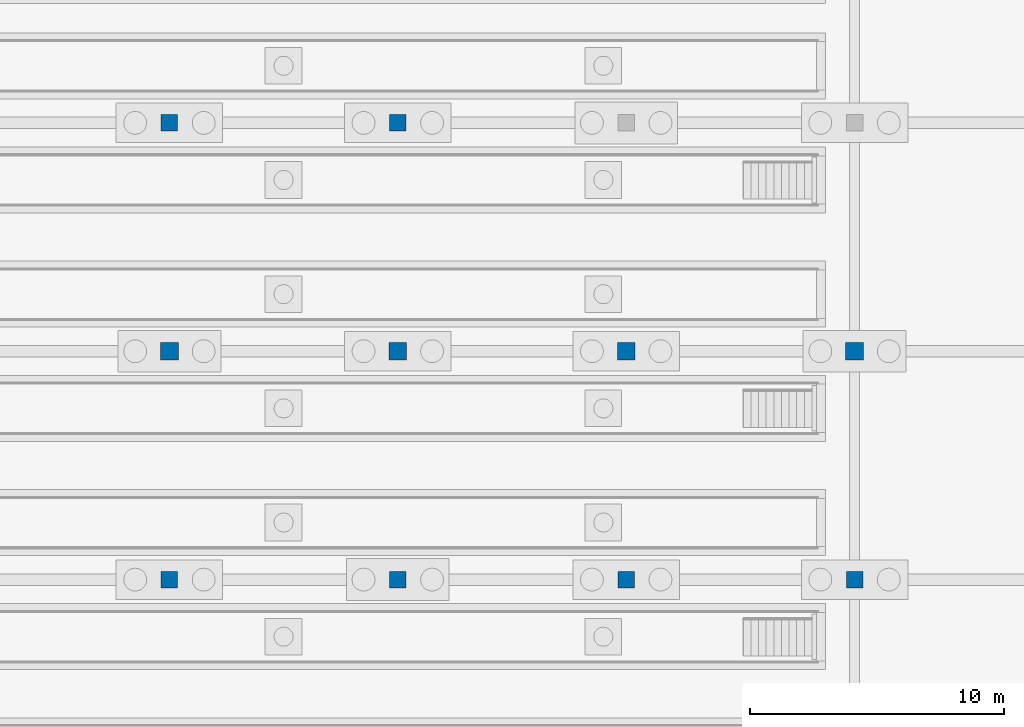
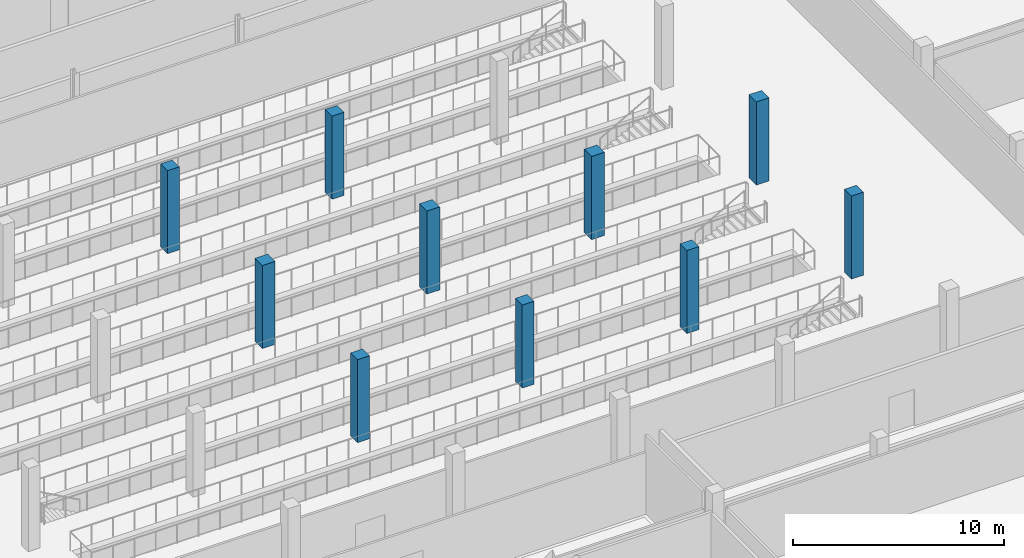
# One storey, part 21 of 112: 10 columns.
"""IFC4 building model written with IfcOpenShell, lengths in metres."""

from ifc_helpers import new_model, si_unit, direction, frame, origin, origin_2d, place, context, subcontext, project, spatial, rectangle, extrude, material, material_profile, profile_set, type_object, element, save


model = new_model("IFC4")

# Units and contexts
model_context = context("Model", 3, precision=1e-05, world=origin(), true_north=direction((0.0, 1.0)))
body_context = subcontext(model_context, "Body", "Model", "MODEL_VIEW")
ifc_project = project(units=[si_unit("LENGTHUNIT", "METRE"), si_unit("AREAUNIT", "SQUARE_METRE"), si_unit("VOLUMEUNIT", "CUBIC_METRE"), si_unit("PLANEANGLEUNIT", "RADIAN"), si_unit("MASSUNIT", "GRAM", prefix="KILO")], contexts=[model_context])

# Site, building, storey
site_placement = place(None, origin())
site = spatial("IfcSite", under=ifc_project, at=site_placement, CompositionType="ELEMENT")
building_placement = place(site_placement, origin())
building = spatial("IfcBuilding", under=site, at=building_placement, Name="Tharagai Park Tramway Depot", CompositionType="ELEMENT")
storey_placement = place(building_placement, origin())
storey = spatial("IfcBuildingStorey", under=building, at=storey_placement, Name="L00", CompositionType="ELEMENT", Elevation=0.0)

# Columns
ifc_material = material(Name="Concrete M40", Category="concrete")
ifc_material_profile_1 = material_profile(ifc_material, rectangle(XDim=0.64990234375, YDim=0.64990234375, at=origin_2d()), Name="RC 650x650")
ifc_profile_set_1 = profile_set([ifc_material_profile_1], Name="Concrete M40")
column_type_1 = type_object("IfcColumnType", Name="CL-12", PredefinedType="COLUMN", material=ifc_profile_set_1)
for number, where, z_axis, x_axis, name in (
    (1, (27.0, 63.0, 0.0), (0.0, 0.0, 1.0), (1.0, 0.0, 0.0), "L00 Structural Column CL-12 (27,63)"),
    (2, (27.0, 81.0, 0.0), (0.0, 0.0, 1.0), (1.0, 0.0, 0.0), "L00 Structural Column CL-12 (27,81)"),
    (3, (36.0, 63.0, 0.0), (0.0, 0.0, 1.0), (1.0, 0.0, 0.0), "L00 Structural Column CL-12 (36,63)"),
    (4, (36.0, 81.0, 0.0), (0.0, 0.0, 1.0), (1.0, 0.0, 0.0), "L00 Structural Column CL-12 (36,81)"),
    (5, (45.0, 63.0, 0.0), (0.0, 0.0, 1.0), (1.0, 0.0, 0.0), "L00 Structural Column CL-12 (45,63)"),
    (6, (54.0, 63.0, 0.0), (0.0, 0.0, 1.0), (1.0, 0.0, 0.0), "L00 Structural Column CL-12 (54,63)"),
):
    element("IfcColumn", number, at=place(storey_placement, frame(where, z_axis=z_axis, x_axis=x_axis)), inside=storey, type_object=column_type_1, Name=name, PredefinedType="COLUMN", context=body_context, shape_type="SweptSolid", body=[
        extrude(rectangle(XDim=0.64990234375, YDim=0.64990234375, at=origin_2d()), origin(), (0.0, 0.0, 1.0), 4.800048828125),
    ])
ifc_material_profile_2 = material_profile(ifc_material, rectangle(XDim=0.699951171875, YDim=0.699951171875, at=origin_2d()), Name="RC 700x700")
ifc_profile_set_2 = profile_set([ifc_material_profile_2], Name="Concrete M40")
column_type_2 = type_object("IfcColumnType", Name="CL-15", PredefinedType="COLUMN", material=ifc_profile_set_2)
for number, where, z_axis, x_axis, name in (
    (7, (27.0, 72.0, 0.0), (0.0, 0.0, 1.0), (1.0, 0.0, 0.0), "L00 Structural Column CL-15 (27,72)"),
    (8, (36.0, 72.0, 0.0), (0.0, 0.0, 1.0), (1.0, 0.0, 0.0), "L00 Structural Column CL-15 (36,72)"),
    (9, (45.0, 72.0, 0.0), (0.0, 0.0, 1.0), (1.0, 0.0, 0.0), "L00 Structural Column CL-15 (45,72)"),
    (10, (54.0, 72.0, 0.0), (0.0, 0.0, 1.0), (1.0, 0.0, 0.0), "L00 Structural Column CL-15 (54,72)"),
):
    element("IfcColumn", number, at=place(storey_placement, frame(where, z_axis=z_axis, x_axis=x_axis)), inside=storey, type_object=column_type_2, Name=name, PredefinedType="COLUMN", context=body_context, shape_type="SweptSolid", body=[
        extrude(rectangle(XDim=0.699951171875, YDim=0.699951171875, at=origin_2d()), origin(), (0.0, 0.0, 1.0), 4.800048828125),
    ])

save(model, "model.ifc")
